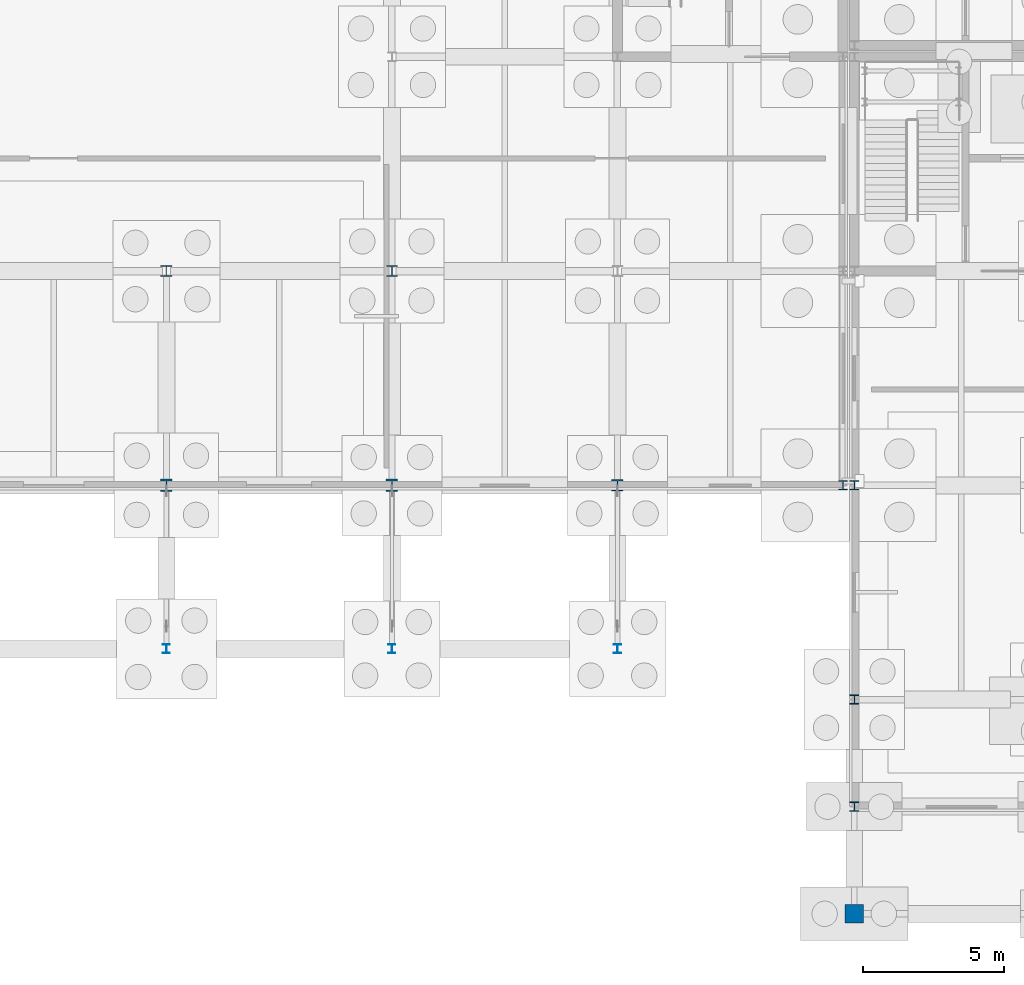
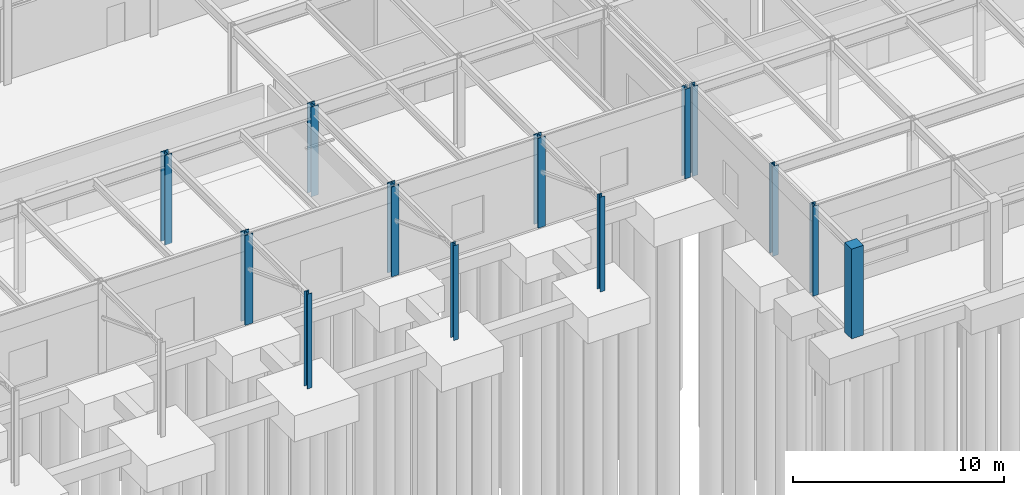
# One storey, part 16 of 62: 13 columns.
"""IFC4 building model written with IfcOpenShell, lengths in metres."""

from ifc_helpers import new_model, si_unit, direction, frame, origin, origin_2d, place, context, subcontext, project, spatial, rectangle, i_section, extrude, material, material_profile, profile_set, type_object, element, save


model = new_model("IFC4")

# Units and contexts
model_context = context("Model", 3, precision=1e-05, world=origin(), true_north=direction((0.0, 1.0)))
body_context = subcontext(model_context, "Body", "Model", "MODEL_VIEW")
ifc_project = project(units=[si_unit("LENGTHUNIT", "METRE"), si_unit("AREAUNIT", "SQUARE_METRE"), si_unit("VOLUMEUNIT", "CUBIC_METRE"), si_unit("PLANEANGLEUNIT", "RADIAN"), si_unit("MASSUNIT", "GRAM", prefix="KILO")], contexts=[model_context])

# Site, building, storey
site_placement = place(None, origin())
site = spatial("IfcSite", under=ifc_project, at=site_placement, CompositionType="ELEMENT")
building_placement = place(site_placement, origin())
building = spatial("IfcBuilding", under=site, at=building_placement, Name="Zulena Civic Courthouse", CompositionType="ELEMENT")
storey_placement = place(building_placement, origin())
storey = spatial("IfcBuildingStorey", under=building, at=storey_placement, Name="L00", CompositionType="ELEMENT", Elevation=0.0)

# Columns
ifc_material_1 = material(Name="Concrete C40/50", Category="concrete")
ifc_material_profile_1 = material_profile(ifc_material_1, rectangle(XDim=0.64990234375, YDim=0.64990234375, at=origin_2d()), Name="RC650X650")
ifc_profile_set_1 = profile_set([ifc_material_profile_1], Name="Concrete C40/50")
column_type_1 = type_object("IfcColumnType", Name="Col_RC650", PredefinedType="COLUMN", material=ifc_profile_set_1)
column_1_placement = place(storey_placement, frame((124.39990234375, 0.0, 0.0), z_axis=(0.0, 0.0, 1.0), x_axis=(1.0, 0.0, 0.0)))
element("IfcColumn", 1, at=column_1_placement, inside=storey, type_object=column_type_1, Name="col:V1:L00:arc:124.4", PredefinedType="COLUMN", context=body_context, shape_type="SweptSolid", body=[
    extrude(rectangle(XDim=0.64990234375, YDim=0.64990234375, at=origin_2d()), origin(), (0.0, 0.0, 1.0), 5.18505859375),
])
ifc_material_2 = material(Name="Steel ASTM A992 Grade 50", Category="steel")
ifc_material_profile_2 = material_profile(ifc_material_2, i_section(OverallWidth=0.31298828125, OverallDepth=0.3330078125, WebThickness=0.01806640625, FlangeThickness=0.0283203125, FilletRadius=0.01513671875, at=origin_2d()), Name="W12X120")
ifc_profile_set_2 = profile_set([ifc_material_profile_2], Name="Steel ASTM A992 Grade 50")
column_type_2 = type_object("IfcColumnType", Name="Col_W12X120", PredefinedType="COLUMN", material=ifc_profile_set_2)
for number, where, z_axis, x_axis, name in (
    (2, (124.39990234375, 3.800048828125, 0.0), (0.0, 0.0, 1.0), (1.0, 0.0, 0.0), "col:V1:L00:124.4:3.8"),
    (3, (124.39990234375, 7.60009765625, 0.0), (0.0, 0.0, 1.0), (1.0, 0.0, 0.0), "col:V1:L00:124.4:7.6"),
    (4, (124.39990234375, 15.199951171875, 0.0), (0.0, 0.0, 1.0), (1.0, 0.0, 0.0), "col:V1:L00:124.4:15.2"),
    (5, (124.0, 15.199951171875, 0.0), (0.0, 0.0, 1.0), (1.0, 0.0, 0.0), "col:V4:L00:124.0:15.2"),
):
    element("IfcColumn", number, at=place(storey_placement, frame(where, z_axis=z_axis, x_axis=x_axis)), inside=storey, type_object=column_type_2, Name=name, PredefinedType="COLUMN", context=body_context, shape_type="SweptSolid", body=[
        extrude(i_section(OverallWidth=0.31298828125, OverallDepth=0.3330078125, WebThickness=0.01806640625, FlangeThickness=0.0283203125, FilletRadius=0.01513671875, at=origin_2d()), origin(), (0.0, 0.0, 1.0), 5.18505859375),
    ])
ifc_material_profile_3 = material_profile(ifc_material_2, i_section(OverallWidth=0.25390625, OverallDepth=0.305908203125, WebThickness=0.0087890625, FlangeThickness=0.0146484375, FilletRadius=0.01513671875, at=origin_2d()), Name="W12X53")
ifc_profile_set_3 = profile_set([ifc_material_profile_3], Name="Steel ASTM A992 Grade 50")
column_type_3 = type_object("IfcColumnType", Name="Col_W12X53", PredefinedType="COLUMN", material=ifc_profile_set_3)
for number, where, z_axis, x_axis, name in (
    (6, (100.0, 9.39990234375, -0.22998046875), (0.0, 0.0, 1.0), (1.0, 0.0, 0.0), "col:canopy:100.0"),
    (7, (108.0, 9.39990234375, -0.22998046875), (0.0, 0.0, 1.0), (1.0, 0.0, 0.0), "col:canopy:108.0"),
    (8, (116.0, 9.39990234375, -0.22998046875), (0.0, 0.0, 1.0), (1.0, 0.0, 0.0), "col:canopy:116.0"),
):
    element("IfcColumn", number, at=place(storey_placement, frame(where, z_axis=z_axis, x_axis=x_axis)), inside=storey, type_object=column_type_3, Name=name, PredefinedType="COLUMN", context=body_context, shape_type="SweptSolid", body=[
        extrude(i_section(OverallWidth=0.25390625, OverallDepth=0.305908203125, WebThickness=0.0087890625, FlangeThickness=0.0146484375, FilletRadius=0.01513671875, at=origin_2d()), origin(), (0.0, 0.0, 1.0), 5.47509765625),
    ])
ifc_material_profile_4 = material_profile(ifc_material_2, i_section(OverallWidth=0.40087890625, OverallDepth=0.39892578125, WebThickness=0.02490234375, FlangeThickness=0.03955078125, FilletRadius=0.01513671875, at=origin_2d()), Name="W14X211")
ifc_profile_set_4 = profile_set([ifc_material_profile_4], Name="Steel ASTM A992 Grade 50")
column_type_4 = type_object("IfcColumnType", Name="Col_W14X211", PredefinedType="COLUMN", material=ifc_profile_set_4)
for number, where, z_axis, x_axis, name in (
    (9, (100.0, 22.800048828125, 0.0), (0.0, 0.0, 1.0), (1.0, 0.0, 0.0), "col:V4:L00:100.0:22.8"),
    (10, (108.0, 22.800048828125, 0.0), (0.0, 0.0, 1.0), (1.0, 0.0, 0.0), "col:V4:L00:108.0:22.8"),
):
    element("IfcColumn", number, at=place(storey_placement, frame(where, z_axis=z_axis, x_axis=x_axis)), inside=storey, type_object=column_type_4, Name=name, PredefinedType="COLUMN", context=body_context, shape_type="SweptSolid", body=[
        extrude(i_section(OverallWidth=0.40087890625, OverallDepth=0.39892578125, WebThickness=0.02490234375, FlangeThickness=0.03955078125, FilletRadius=0.01513671875, at=origin_2d()), origin(), (0.0, 0.0, 1.0), 5.18505859375),
    ])
ifc_material_profile_5 = material_profile(ifc_material_2, i_section(OverallWidth=0.406005859375, OverallDepth=0.416015625, WebThickness=0.02978515625, FlangeThickness=0.048095703125, FilletRadius=0.01513671875, at=origin_2d()), Name="W14X257")
ifc_profile_set_5 = profile_set([ifc_material_profile_5], Name="Steel ASTM A992 Grade 50")
column_type_5 = type_object("IfcColumnType", Name="Col_W14X257", PredefinedType="COLUMN", material=ifc_profile_set_5)
column_2_placement = place(storey_placement, frame((116.0, 15.199951171875, 0.0), z_axis=(0.0, 0.0, 1.0), x_axis=(1.0, 0.0, 0.0)))
element("IfcColumn", 11, at=column_2_placement, inside=storey, type_object=column_type_5, Name="col:V4:L00:116.0:15.2", PredefinedType="COLUMN", context=body_context, shape_type="SweptSolid", body=[
    extrude(i_section(OverallWidth=0.406005859375, OverallDepth=0.416015625, WebThickness=0.02978515625, FlangeThickness=0.048095703125, FilletRadius=0.01513671875, at=origin_2d()), origin(), (0.0, 0.0, 1.0), 5.18505859375),
])
ifc_material_profile_6 = material_profile(ifc_material_2, i_section(OverallWidth=0.412109375, OverallDepth=0.43505859375, WebThickness=0.035888671875, FlangeThickness=0.057373046875, FilletRadius=0.01513671875, at=origin_2d()), Name="W14X311")
ifc_profile_set_6 = profile_set([ifc_material_profile_6], Name="Steel ASTM A992 Grade 50")
column_type_6 = type_object("IfcColumnType", Name="Col_W14X311", PredefinedType="COLUMN", material=ifc_profile_set_6)
for number, where, z_axis, x_axis, name in (
    (12, (100.0, 15.199951171875, 0.0), (0.0, 0.0, 1.0), (1.0, 0.0, 0.0), "col:V4:L00:100.0:15.2"),
    (13, (108.0, 15.199951171875, 0.0), (0.0, 0.0, 1.0), (1.0, 0.0, 0.0), "col:V4:L00:108.0:15.2"),
):
    element("IfcColumn", number, at=place(storey_placement, frame(where, z_axis=z_axis, x_axis=x_axis)), inside=storey, type_object=column_type_6, Name=name, PredefinedType="COLUMN", context=body_context, shape_type="SweptSolid", body=[
        extrude(i_section(OverallWidth=0.412109375, OverallDepth=0.43505859375, WebThickness=0.035888671875, FlangeThickness=0.057373046875, FilletRadius=0.01513671875, at=origin_2d()), origin(), (0.0, 0.0, 1.0), 5.18505859375),
    ])

save(model, "model.ifc")
